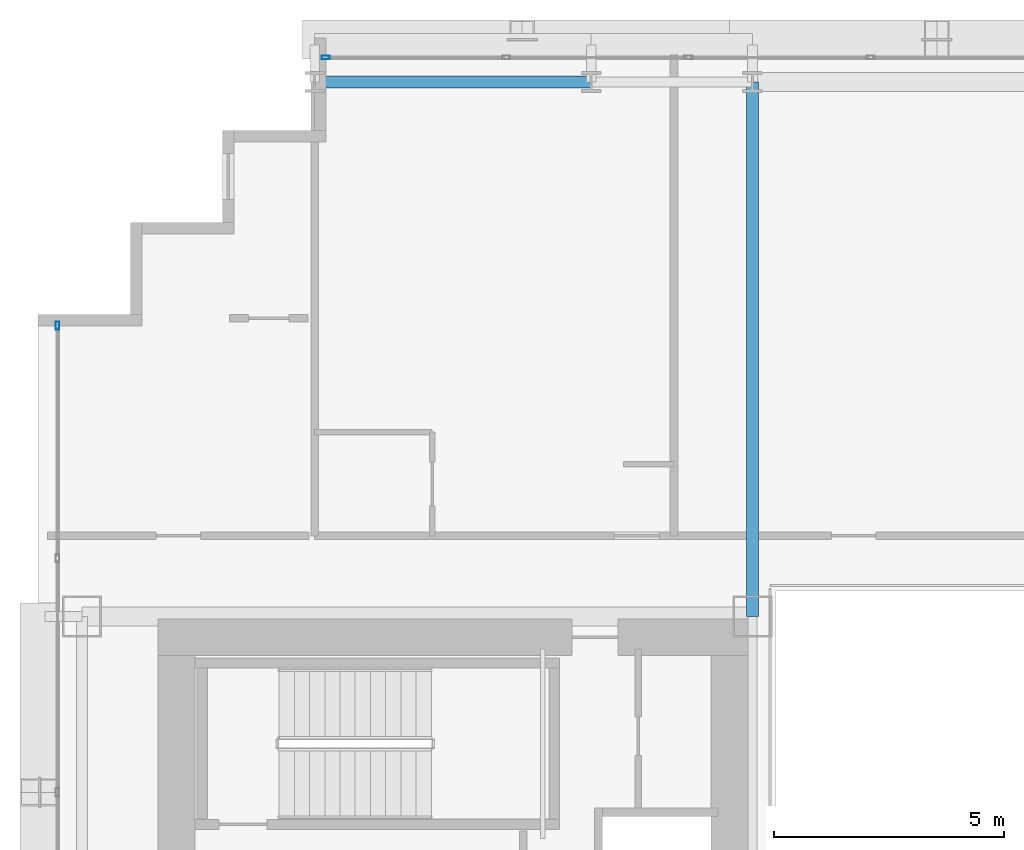
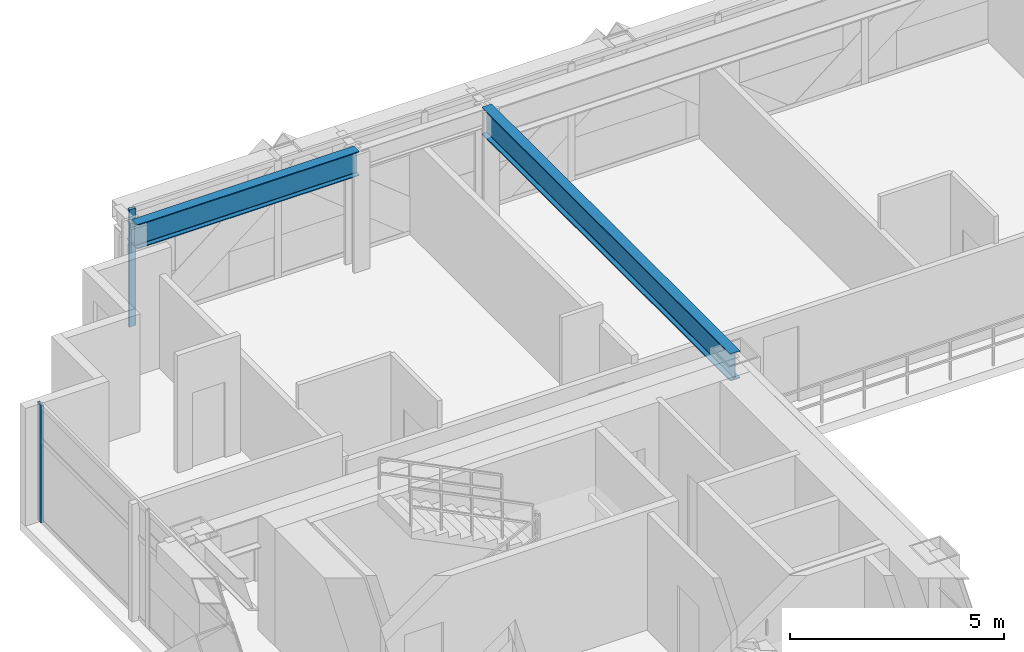
# One storey, part 17 of 35: 2 beams, 2 members, 2 elements without a shape of their own.
"""IFC4 building model written with IfcOpenShell, lengths in metres."""

from ifc_helpers import new_model, si_unit, direction, frame, origin, origin_2d, place, context, subcontext, project, spatial, hollow_rectangle, i_section, extrude, source, transform, mapped, material, layer, layer_set, material_profile, profile_set, type_object, element, aggregate, save


model = new_model("IFC4")

# Units and contexts
model_context = context("Model", 3, precision=1e-05, world=origin(), true_north=direction((0.0, 1.0)))
body_context = subcontext(model_context, "Body", "Model", "MODEL_VIEW")
ifc_project = project(units=[si_unit("LENGTHUNIT", "METRE"), si_unit("AREAUNIT", "SQUARE_METRE"), si_unit("VOLUMEUNIT", "CUBIC_METRE"), si_unit("PLANEANGLEUNIT", "RADIAN"), si_unit("MASSUNIT", "GRAM", prefix="KILO")], contexts=[model_context])

# Site, building, storey
site_placement = place(None, origin())
site = spatial("IfcSite", under=ifc_project, at=site_placement, CompositionType="ELEMENT")
building_placement = place(site_placement, origin())
building = spatial("IfcBuilding", under=site, at=building_placement, Name="Ocotamira Hotel", CompositionType="ELEMENT")
storey_placement = place(building_placement, frame((0.0, 0.0, 56.39990234375)))
storey = spatial("IfcBuildingStorey", under=building, at=storey_placement, Name="L13", CompositionType="ELEMENT", Elevation=56.39990234375)

# Beams
ifc_material_1 = material(Name="Steel ASTM A992 Grade 50", Category="steel")
ifc_material_profile_1 = material_profile(ifc_material_1, i_section(OverallWidth=0.256103515625, OverallDepth=0.693115234375, WebThickness=0.014404296875, FlangeThickness=0.023681640625, FilletRadius=0.01611328125, at=origin_2d()), Name="W27X114")
ifc_profile_set_1 = profile_set([ifc_material_profile_1], Name="Steel ASTM A992 Grade 50")
beam_type_1 = type_object("IfcBeamType", Name="BM-PRIM-W27X114", PredefinedType="BEAM", material=ifc_profile_set_1)
shared_shape_1 = source(origin(), body_context, "Body", "SweptSolid", [
    extrude(i_section(OverallWidth=0.256103515625, OverallDepth=0.693115234375, WebThickness=0.014404296875, FlangeThickness=0.023681640625, FilletRadius=0.01611328125, at=origin_2d()), origin(), (0.0, 0.0, 1.0), 6.0),
])
beam_1_placement = place(storey_placement, frame((14.0, 49.050048828125, 3.003662109375), z_axis=(1.0, 0.0, 0.0), x_axis=(0.0, 1.0, 0.0)))
element("IfcBeam", 1, at=beam_1_placement, inside=storey, type_object=beam_type_1, Name="L13 Girder Y49.05 X14-20", PredefinedType="BEAM", context=body_context, shape_type="MappedRepresentation", body=[
    mapped(shared_shape_1, transform((0.0, 0.0, 0.0), scale=1.0)),
])
ifc_material_profile_2 = material_profile(ifc_material_1, i_section(OverallWidth=0.26611328125, OverallDepth=0.779052734375, WebThickness=0.0166015625, FlangeThickness=0.030029296875, FilletRadius=0.01806640625, at=origin_2d()), Name="W30X148")
ifc_profile_set_2 = profile_set([ifc_material_profile_2], Name="Steel ASTM A992 Grade 50")
beam_type_2 = type_object("IfcBeamType", Name="BM-GIRD-W30X148", PredefinedType="BEAM", material=ifc_profile_set_2)
shared_shape_2 = source(origin(), body_context, "Body", "SweptSolid", [
    extrude(i_section(OverallWidth=0.26611328125, OverallDepth=0.779052734375, WebThickness=0.0166015625, FlangeThickness=0.030029296875, FilletRadius=0.01806640625, at=origin_2d()), origin(), (0.0, 0.0, 1.0), 11.60009765625),
])
beam_2_placement = place(storey_placement, frame((23.5, 37.449951171875, 2.960693359375), z_axis=(0.0, 1.0, 0.0), x_axis=(-1.0, 0.0, 0.0)))
element("IfcBeam", 2, at=beam_2_placement, inside=storey, type_object=beam_type_2, Name="L13 Beam X23.5 Y37.45-49.05", PredefinedType="BEAM", context=body_context, shape_type="MappedRepresentation", body=[
    mapped(shared_shape_2, transform((0.0, 0.0, 0.0), scale=1.0)),
])

# Curtain wall, member
ifc_material_2 = material(Name="Anodised pale-metal aluminium and solar glass", Category="aluminium")
ifc_layer = layer(ifc_material_2, 0.179931640625)
ifc_layer_set = layer_set([ifc_layer], Name="Anodised pale-metal aluminium and solar glass")
curtain_wall_type = type_object("IfcCurtainWallType", Name="CW-SYS2-Z1", PredefinedType="NOTDEFINED", material=ifc_layer_set)
curtain_wall_1_placement = place(storey_placement, origin())
curtain_wall_1 = element("IfcCurtainWall", 3, at=curtain_wall_1_placement, inside=storey, type_object=curtain_wall_type, Name="L13 Curtain Wall CW-2 CW-L13-N", PredefinedType="NOTDEFINED")
ifc_material_3 = material(Name="Anodised pale-metal aluminium 6063-T6", Category="aluminium")
ifc_material_profile_3 = material_profile(ifc_material_3, hollow_rectangle(XDim=0.080078125, YDim=0.179931640625, WallThickness=0.006103515625, at=origin_2d()), Name="HSS180X80X6")
ifc_profile_set_3 = profile_set([ifc_material_profile_3], Name="Anodised pale-metal aluminium 6063-T6")
member_type = type_object("IfcMemberType", Name="CWM-180X75", PredefinedType="MULLION", material=ifc_profile_set_3)
shared_shape_3 = source(origin(), body_context, "Body", "SweptSolid", [
    extrude(hollow_rectangle(XDim=0.080078125, YDim=0.179931640625, WallThickness=0.006103515625, at=origin_2d()), origin(), (0.0, 0.0, 1.0), 3.35009765625),
])
member_1_placement = place(storey_placement, frame((14.239990234375, 49.580078125, 0.0), z_axis=(0.0, 0.0, 1.0), x_axis=(0.0, 1.0, 0.0)))
member_1 = element("IfcMember", 4, at=member_1_placement, type_object=member_type, Name="CW-2 mullion 1", PredefinedType="MULLION", context=body_context, shape_type="MappedRepresentation", body=[
    mapped(shared_shape_3, transform((0.0, 0.0, 0.0), scale=1.0)),
])
aggregate(curtain_wall_1, [member_1])

curtain_wall_2_placement = place(storey_placement, origin())
curtain_wall_2 = element("IfcCurtainWall", 5, at=curtain_wall_2_placement, inside=storey, type_object=curtain_wall_type, Name="L13 Curtain Wall CW-2 CW-L13-W", PredefinedType="NOTDEFINED")
member_2_placement = place(storey_placement, frame((8.419921875, 43.760009765625, 0.0), z_axis=(0.0, 0.0, 1.0), x_axis=(-1.0, 0.0, 0.0)))
member_2 = element("IfcMember", 6, at=member_2_placement, type_object=member_type, Name="CW-2 mullion 8", PredefinedType="MULLION", context=body_context, shape_type="MappedRepresentation", body=[
    mapped(shared_shape_3, transform((0.0, 0.0, 0.0), scale=1.0)),
])
aggregate(curtain_wall_2, [member_2])

save(model, "model.ifc")
